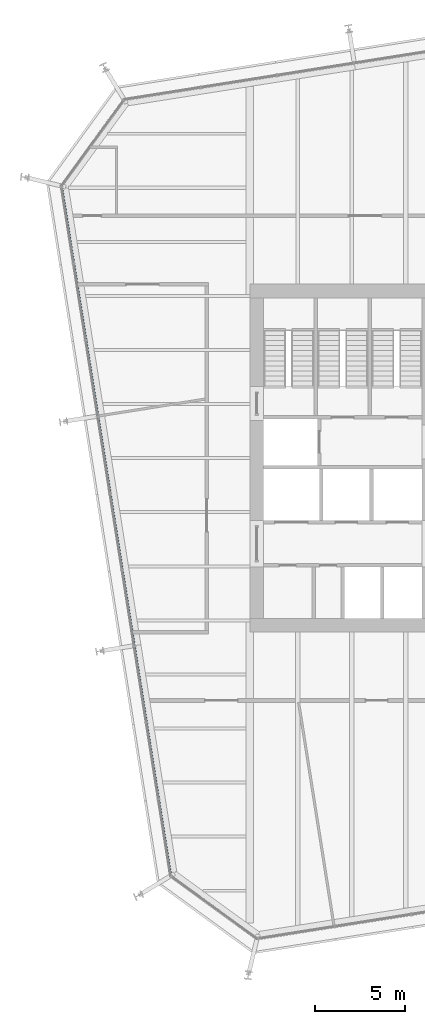
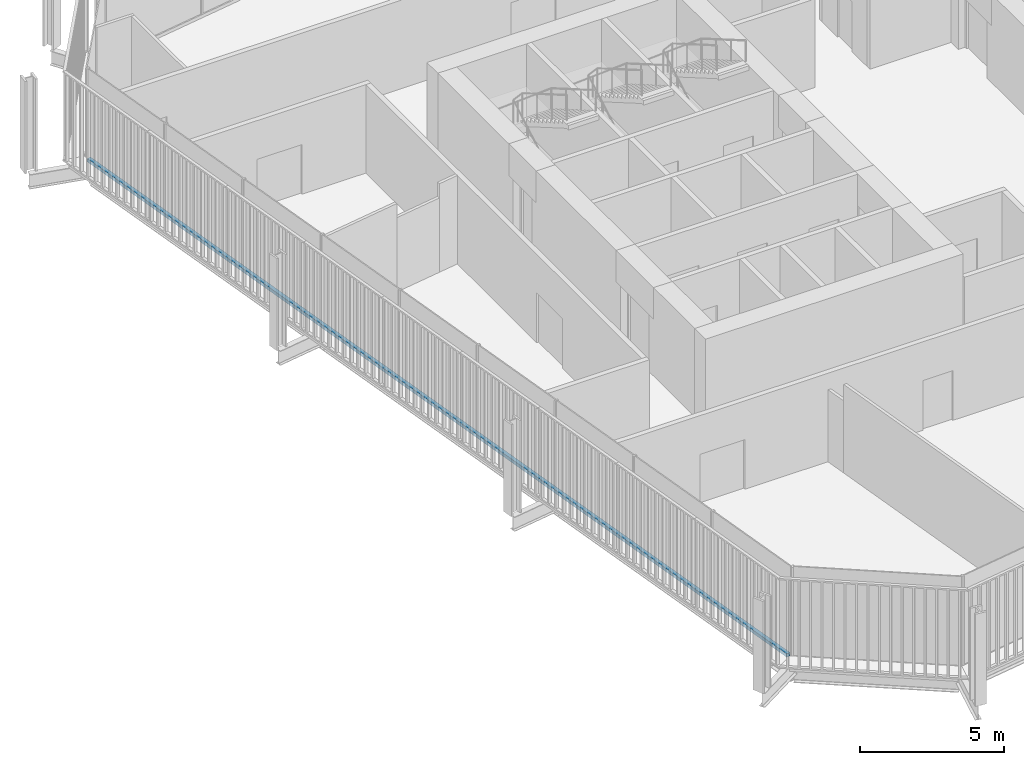
# One storey, part 5 of 21: 1 member, 1 element without a shape of its own.
"""IFC4 building model written with IfcOpenShell, lengths in metres."""

from ifc_helpers import new_model, si_unit, direction, frame, origin, origin_2d, place, context, subcontext, project, spatial, rectangle, extrude, material, layer, layer_set, material_profile, profile_set, type_object, element, aggregate, save


model = new_model("IFC4")

# Units and contexts
model_context = context("Model", 3, precision=1e-05, world=origin(), true_north=direction((0.0, 1.0)))
body_context = subcontext(model_context, "Body", "Model", "MODEL_VIEW")
ifc_project = project(units=[si_unit("LENGTHUNIT", "METRE"), si_unit("AREAUNIT", "SQUARE_METRE"), si_unit("VOLUMEUNIT", "CUBIC_METRE"), si_unit("PLANEANGLEUNIT", "RADIAN"), si_unit("MASSUNIT", "GRAM", prefix="KILO")], contexts=[model_context])

# Site, building, storey
site_placement = place(None, origin())
site = spatial("IfcSite", under=ifc_project, at=site_placement, CompositionType="ELEMENT")
building_placement = place(site_placement, origin())
building = spatial("IfcBuilding", under=site, at=building_placement, Name="Millrace Tower", CompositionType="ELEMENT")
storey_placement = place(building_placement, frame((0.0, 0.0, 141.199951171875)))
storey = spatial("IfcBuildingStorey", under=building, at=storey_placement, Name="L31", CompositionType="ELEMENT", Elevation=141.199951171875)

# Curtain wall, member
ifc_material_1 = material(Name="Aluminium and glass", Category="aluminium")
ifc_layer = layer(ifc_material_1, 0.14990234375)
ifc_layer_set = layer_set([ifc_layer], Name="Aluminium and glass")
curtain_wall_type = type_object("IfcCurtainWallType", Name="CW-1 office vision curtain wall", PredefinedType="NOTDEFINED", material=ifc_layer_set)
curtain_wall_placement = place(storey_placement, origin())
curtain_wall = element("IfcCurtainWall", 1, at=curtain_wall_placement, inside=storey, type_object=curtain_wall_type, Name="Curtain wall C-F08 L31", PredefinedType="NOTDEFINED")
ifc_material_2 = material(Name="Aluminium", Category="aluminium")
ifc_material_profile = material_profile(ifc_material_2, rectangle(XDim=0.14990234375, YDim=0.139892578125, at=origin_2d()))
ifc_profile_set = profile_set([ifc_material_profile], Name="Aluminium")
member_type = type_object("IfcMemberType", Name="CW-1 office vision curtain wall transom", PredefinedType="USERDEFINED", material=ifc_profile_set)
member_placement = place(storey_placement, frame((-25.09619140625, 14.97509765625, 0.070068359375), z_axis=(0.156433422663, -0.987688505691, 0.0), x_axis=(0.987688505691, 0.156433422663, 0.0)))
member = element("IfcMember", 2, at=member_placement, type_object=member_type, Name="CW1 transom C-F08.1", ObjectType="TRANSOM", PredefinedType="USERDEFINED", context=body_context, shape_type="SweptSolid", body=[
    extrude(rectangle(XDim=0.14990234375, YDim=0.139892578125, at=origin_2d()), origin(), (0.0, 0.0, 1.0), 38.5),
])
aggregate(curtain_wall, [member])

save(model, "model.ifc")
